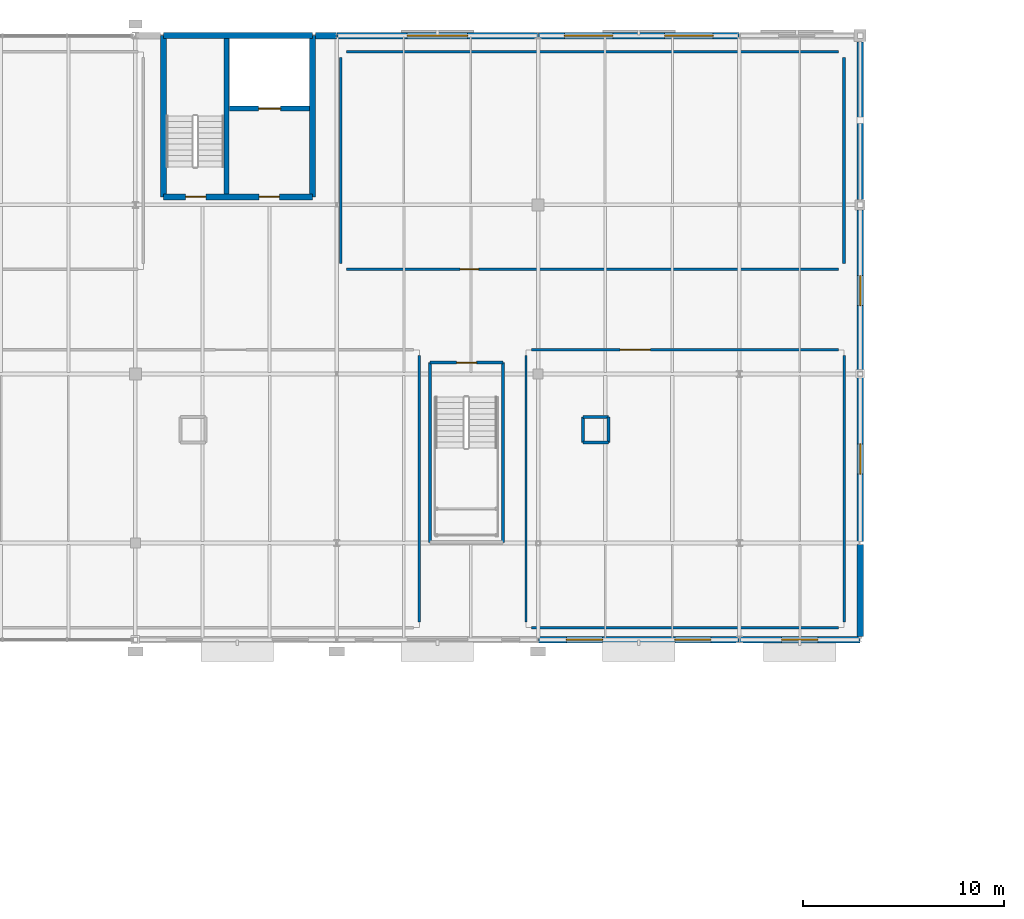
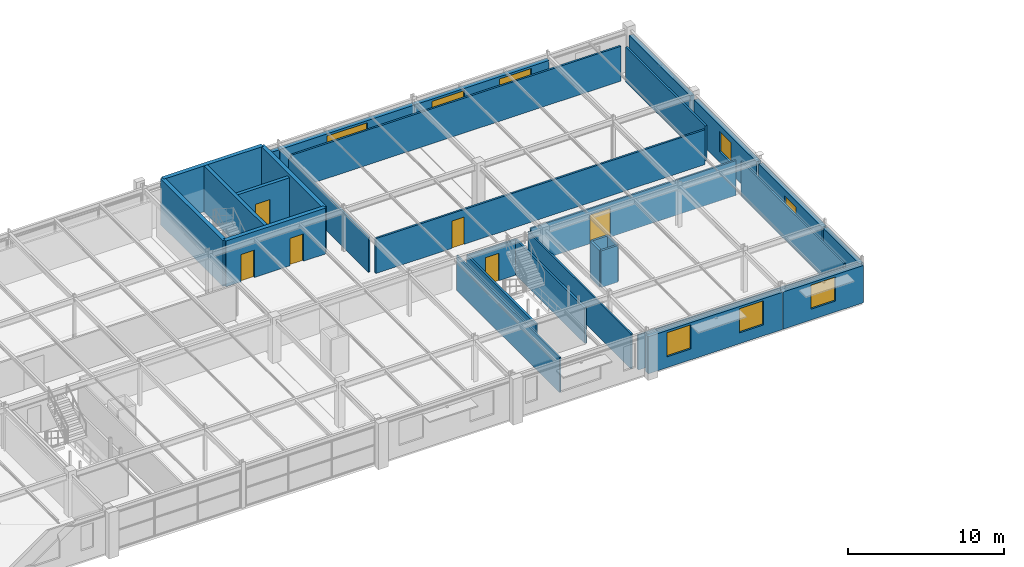
# One storey, part 101 of 109: 31 walls, 8 windows, 6 doors, 14 openings.
"""IFC4 building model written with IfcOpenShell, lengths in metres."""

from ifc_helpers import new_model, si_unit, derived_unit, direction, frame, frame_2d, origin, place, context, subcontext, project, spatial, rectangle, extrude, material, layer, layer_set, type_object, element, fill, save


model = new_model("IFC4")

# Units and contexts
model_context = context("Model", 3, precision=1e-05, world=origin(), true_north=direction((0.0, 1.0)))
body_context = subcontext(model_context, "Body", "Model", "MODEL_VIEW")
ifc_project = project(units=[si_unit("LENGTHUNIT", "METRE"), si_unit("AREAUNIT", "SQUARE_METRE"), si_unit("VOLUMEUNIT", "CUBIC_METRE"), si_unit("PLANEANGLEUNIT", "RADIAN"), si_unit("MASSUNIT", "GRAM", prefix="KILO"), derived_unit("THERMALTRANSMITTANCEUNIT", [(si_unit("POWERUNIT", "WATT"), 1), (si_unit("LENGTHUNIT", "METRE"), -2), (si_unit("THERMODYNAMICTEMPERATUREUNIT", "KELVIN"), -1)])], contexts=[model_context])

# Site, building, storey
site_placement = place(None, origin())
site = spatial("IfcSite", under=ifc_project, at=site_placement, CompositionType="ELEMENT")
building_placement = place(site_placement, origin())
building = spatial("IfcBuilding", under=site, at=building_placement, Name="Cinnabar Yard Market Hall", CompositionType="ELEMENT")
storey_placement = place(building_placement, frame((0.0, 0.0, 8.39990234375)))
storey = spatial("IfcBuildingStorey", under=building, at=storey_placement, Name="L02", CompositionType="ELEMENT", Elevation=8.39990234375)

# Walls
ifc_material_1 = material(Name="Acoustic steel-stud plasterboard", Category="steel")
ifc_layer_1 = layer(ifc_material_1, 0.1201171875)
ifc_layer_set_1 = layer_set([ifc_layer_1], Name="Acoustic steel-stud plasterboard")
wall_type_1 = type_object("IfcWallType", Name="WL-PT120", PredefinedType="PARTITIONING", material=ifc_layer_set_1)
wall_1_placement = place(storey_placement, frame((140.10009765625, 108.8798828125, 0.0), z_axis=(0.0, 0.0, 1.0), x_axis=(0.0, 1.0, 0.0)))
element("IfcWall", 1, at=wall_1_placement, inside=storey, type_object=wall_type_1, Name="Partition Culinary Demonstration Auditorium east", PredefinedType="PARTITIONING", context=body_context, shape_type="SweptSolid", body=[
    extrude(rectangle(XDim=13.240234375, YDim=0.1201171875, at=frame_2d((6.6201171875, 0.0), x_axis=(1.0, 0.0))), origin(), (0.0, 0.0, 1.0), 2.739990234375),
])
wall_2_placement = place(storey_placement, frame((145.679931640625, 108.60009765625, 0.0), z_axis=(0.0, 0.0, 1.0), x_axis=(1.0, 0.0, 0.0)))
element("IfcWall", 2, at=wall_2_placement, inside=storey, type_object=wall_type_1, Name="Partition Gastronomy and Cookbook Library south", PredefinedType="PARTITIONING", context=body_context, shape_type="SweptSolid", body=[
    extrude(rectangle(XDim=15.239990234375, YDim=0.1201171875, at=frame_2d((7.6201171875, 0.0), x_axis=(1.0, 0.0))), origin(), (0.0, 0.0, 1.0), 2.739990234375),
])
wall_3_placement = place(storey_placement, frame((161.199951171875, 108.8798828125, 0.0), z_axis=(0.0, 0.0, 1.0), x_axis=(0.0, 1.0, 0.0)))
element("IfcWall", 3, at=wall_3_placement, inside=storey, type_object=wall_type_1, Name="Partition Gastronomy and Cookbook Library east", PredefinedType="PARTITIONING", context=body_context, shape_type="SweptSolid", body=[
    extrude(rectangle(XDim=13.240234375, YDim=0.1201171875, at=frame_2d((6.6201171875, 0.0), x_axis=(1.0, 0.0))), origin(), (0.0, 0.0, 1.0), 2.739990234375),
])

# Wall, opening, door
wall_4_placement = place(storey_placement, frame((160.919921875, 122.39990234375, 0.0), z_axis=(0.0, 0.0, 1.0), x_axis=(-1.0, 0.0, 0.0)))
wall_4 = element("IfcWall", 4, at=wall_4_placement, inside=storey, type_object=wall_type_1, Name="Partition Gastronomy and Cookbook Library north", PredefinedType="PARTITIONING", context=body_context, shape_type="SweptSolid", body=[
    extrude(rectangle(XDim=15.239990234375, YDim=0.1201171875, at=frame_2d((7.6201171875, 0.0), x_axis=(1.0, 0.0))), origin(), (0.0, 0.0, 1.0), 2.739990234375),
])
opening_1_placement = place(wall_4_placement, frame((9.34326171875, 0.0, 0.0)))
opening_1 = element("IfcOpeningElement", 5, at=opening_1_placement, cuts=wall_4, Name="Opening ID-172", PredefinedType="OPENING", context=body_context, shape_type="SweptSolid", body=[
    extrude(rectangle(XDim=1.5, YDim=2.25, at=frame_2d((0.75, 1.125), x_axis=(1.0, 0.0))), frame((0.0, 0.070068359375, 0.0), z_axis=(0.0, -1.0, 0.0), x_axis=(1.0, 0.0, 0.0)), (0.0, 0.0, 1.0), 0.14013671875),
])
ifc_material_2 = material(Name="Spotted gum timber and vision glass", Category="wood")
door_type_1 = type_object("IfcDoorType", Name="DR-D08", OperationType="NOTDEFINED", PredefinedType="DOOR", material=ifc_material_2)
door_1_placement = place(opening_1_placement, origin())
door_1 = element("IfcDoor", 6, at=door_1_placement, inside=storey, type_object=door_type_1, Name="Interior Door ID-172", OperationType="DOUBLE_SWING_LEFT", OverallHeight=2.25, OverallWidth=1.5, PredefinedType="DOOR", context=body_context, shape_type="SweptSolid", body=[
    extrude(rectangle(XDim=1.5, YDim=2.25, at=frame_2d((0.75, 1.125), x_axis=(1.0, 0.0))), frame((0.0, 0.02490234375, 0.0), z_axis=(0.0, -1.0, 0.0), x_axis=(1.0, 0.0, 0.0)), (0.0, 0.0, 1.0), 0.050048828125),
])
fill(opening_1, door_1)

# Wall
wall_5_placement = place(storey_placement, frame((145.39990234375, 122.1201171875, 0.0), z_axis=(0.0, 0.0, 1.0), x_axis=(0.0, -1.0, 0.0)))
element("IfcWall", 7, at=wall_5_placement, inside=storey, type_object=wall_type_1, Name="Partition Gastronomy and Cookbook Library west", PredefinedType="PARTITIONING", context=body_context, shape_type="SweptSolid", body=[
    extrude(rectangle(XDim=13.240234375, YDim=0.1201171875, at=frame_2d((6.6201171875, 0.0), x_axis=(1.0, 0.0))), origin(), (0.0, 0.0, 1.0), 2.739990234375),
])

# Wall, opening, door
ifc_material_3 = material(Name="Moisture-resistant tiled service wall")
ifc_layer_2 = layer(ifc_material_3, 0.139892578125)
ifc_layer_set_2 = layer_set([ifc_layer_2], Name="Moisture-resistant tiled service wall")
wall_type_2 = type_object("IfcWallType", Name="WL-PT140", PredefinedType="PLUMBINGWALL", material=ifc_layer_set_2)
wall_6_placement = place(storey_placement, frame((136.47998046875, 126.39990234375, 0.0), z_axis=(0.0, 0.0, 1.0), x_axis=(1.0, 0.0, 0.0)))
wall_6 = element("IfcWall", 8, at=wall_6_placement, inside=storey, type_object=wall_type_2, Name="Partition Cooking School Public and Accessible WC south", PredefinedType="PLUMBINGWALL", context=body_context, shape_type="SweptSolid", body=[
    extrude(rectangle(XDim=24.43994140625, YDim=0.139892578125, at=frame_2d((12.219970703125, 0.0), x_axis=(1.0, 0.0))), origin(), (0.0, 0.0, 1.0), 2.739990234375),
])
opening_2_placement = place(wall_6_placement, frame((5.644775390625, 0.0, 0.0)))
opening_2 = element("IfcOpeningElement", 9, at=opening_2_placement, cuts=wall_6, Name="Opening ID-175", PredefinedType="OPENING", context=body_context, shape_type="SweptSolid", body=[
    extrude(rectangle(XDim=0.919921875, YDim=2.14990234375, at=frame_2d((0.4599609375, 1.074951171875), x_axis=(1.0, 0.0))), frame((0.0, 0.079833984375, 0.0), z_axis=(0.0, -1.0, 0.0), x_axis=(1.0, 0.0, 0.0)), (0.0, 0.0, 1.0), 0.159912109375),
])
ifc_material_4 = material(Name="Solid-core spotted gum timber", Category="wood")
door_type_2 = type_object("IfcDoorType", Name="DR-D07", OperationType="NOTDEFINED", PredefinedType="DOOR", material=ifc_material_4)
door_2_placement = place(opening_2_placement, origin())
door_2 = element("IfcDoor", 10, at=door_2_placement, inside=storey, type_object=door_type_2, Name="Interior Door ID-175", OperationType="SINGLE_SWING_RIGHT", OverallHeight=2.14990234375, OverallWidth=0.919921875, PredefinedType="DOOR", context=body_context, shape_type="SweptSolid", body=[
    extrude(rectangle(XDim=0.919921875, YDim=2.14990234375, at=frame_2d((0.4599609375, 1.074951171875), x_axis=(1.0, 0.0))), frame((0.0, 0.02490234375, 0.0), z_axis=(0.0, -1.0, 0.0), x_axis=(1.0, 0.0, 0.0)), (0.0, 0.0, 1.0), 0.050048828125),
])
fill(opening_2, door_2)

# Walls
wall_7_placement = place(storey_placement, frame((161.199951171875, 126.679931640625, 0.0), z_axis=(0.0, 0.0, 1.0), x_axis=(0.0, 1.0, 0.0)))
element("IfcWall", 11, at=wall_7_placement, inside=storey, type_object=wall_type_2, Name="Partition Cooking School Public and Accessible WC east", PredefinedType="PLUMBINGWALL", context=body_context, shape_type="SweptSolid", body=[
    extrude(rectangle(XDim=10.239990234375, YDim=0.139892578125, at=frame_2d((5.1201171875, 0.0), x_axis=(1.0, 0.0))), origin(), (0.0, 0.0, 1.0), 2.739990234375),
])
wall_8_placement = place(storey_placement, frame((160.919921875, 137.199951171875, 0.0), z_axis=(0.0, 0.0, 1.0), x_axis=(-1.0, 0.0, 0.0)))
element("IfcWall", 12, at=wall_8_placement, inside=storey, type_object=wall_type_2, Name="Partition Cooking School Public and Accessible WC north", PredefinedType="PLUMBINGWALL", context=body_context, shape_type="SweptSolid", body=[
    extrude(rectangle(XDim=24.43994140625, YDim=0.139892578125, at=frame_2d((12.219970703125, 0.0), x_axis=(1.0, 0.0))), origin(), (0.0, 0.0, 1.0), 2.739990234375),
])
wall_9_placement = place(storey_placement, frame((136.199951171875, 136.919921875, 0.0), z_axis=(0.0, 0.0, 1.0), x_axis=(0.0, -1.0, 0.0)))
element("IfcWall", 13, at=wall_9_placement, inside=storey, type_object=wall_type_2, Name="Partition Cooking School Public and Accessible WC west", PredefinedType="PLUMBINGWALL", context=body_context, shape_type="SweptSolid", body=[
    extrude(rectangle(XDim=10.239990234375, YDim=0.139892578125, at=frame_2d((5.1201171875, 0.0), x_axis=(1.0, 0.0))), origin(), (0.0, 0.0, 1.0), 2.739990234375),
])
ifc_material_5 = material(Name="Fire-rated steel-stud plasterboard", Category="steel")
ifc_layer_3 = layer(ifc_material_5, 0.14990234375)
ifc_layer_set_3 = layer_set([ifc_layer_3], Name="Fire-rated steel-stud plasterboard")
wall_type_3 = type_object("IfcWallType", Name="WL-PT150", PredefinedType="PARTITIONING", material=ifc_layer_set_3)
for number, where, z_axis, x_axis, name in (
    (14, (140.639892578125, 121.760009765625, 0.0), (0.0, 0.0, 1.0), (0.0, -1.0, 0.0), "Stair ST-F6 Shaft Wall W L02"),
    (15, (144.260009765625, 112.840087890625, 0.0), (0.0, 0.0, 1.0), (0.0, 1.0, 0.0), "Stair ST-F6 Shaft Wall E L02"),
):
    element("IfcWall", number, at=place(storey_placement, frame(where, z_axis=z_axis, x_axis=x_axis)), inside=storey, type_object=wall_type_3, Name=name, PredefinedType="PARTITIONING", context=body_context, shape_type="SweptSolid", body=[
        extrude(rectangle(XDim=8.919921875, YDim=0.14990234375, at=frame_2d((4.4599609375, 0.0), x_axis=(1.0, 0.0))), origin(), (0.0, 0.0, 1.0), 2.780029296875),
    ])

# Wall, opening, door
wall_10_placement = place(storey_placement, frame((144.260009765625, 121.760009765625, 0.0), z_axis=(0.0, 0.0, 1.0), x_axis=(-1.0, 0.0, 0.0)))
wall_10 = element("IfcWall", 16, at=wall_10_placement, inside=storey, type_object=wall_type_3, Name="Stair ST-F6 Shaft Wall N L02", PredefinedType="PARTITIONING", context=body_context, shape_type="SweptSolid", body=[
    extrude(rectangle(XDim=3.6201171875, YDim=0.14990234375, at=frame_2d((1.81005859375, 0.0), x_axis=(1.0, 0.0))), origin(), (0.0, 0.0, 1.0), 2.780029296875),
])
opening_3_placement = place(wall_10_placement, frame((1.31005859375, 0.0, 0.0)))
opening_3 = element("IfcOpeningElement", 17, at=opening_3_placement, cuts=wall_10, Name="Opening CD-083", PredefinedType="OPENING", context=body_context, shape_type="SweptSolid", body=[
    extrude(rectangle(XDim=1.0, YDim=2.14990234375, at=frame_2d((0.5, 1.074951171875), x_axis=(1.0, 0.0))), frame((0.0, 0.0849609375, 0.0), z_axis=(0.0, -1.0, 0.0), x_axis=(1.0, 0.0, 0.0)), (0.0, 0.0, 1.0), 0.169921875),
])
door_type_3 = type_object("IfcDoorType", Name="DR-D05", OperationType="NOTDEFINED", PredefinedType="DOOR", material=ifc_material_4)
door_3_placement = place(opening_3_placement, origin())
door_3 = element("IfcDoor", 18, at=door_3_placement, inside=storey, type_object=door_type_3, Name="Stair Door CD-083", OperationType="SINGLE_SWING_LEFT", OverallHeight=2.14990234375, OverallWidth=1.0, PredefinedType="DOOR", context=body_context, shape_type="SweptSolid", body=[
    extrude(rectangle(XDim=1.0, YDim=2.14990234375, at=frame_2d((0.5, 1.074951171875), x_axis=(1.0, 0.0))), frame((0.0, 0.02490234375, 0.0), z_axis=(0.0, -1.0, 0.0), x_axis=(1.0, 0.0, 0.0)), (0.0, 0.0, 1.0), 0.050048828125),
])
fill(opening_3, door_3)

# Walls
for number, where, z_axis, x_axis, name in (
    (19, (148.239990234375, 117.800048828125, 0.0), (0.0, 0.0, 1.0), (1.0, 0.0, 0.0), "Service Shaft Wall L02-5-1"),
    (20, (149.489990234375, 117.800048828125, 0.0), (0.0, 0.0, 1.0), (0.0, 1.0, 0.0), "Service Shaft Wall L02-5-2"),
    (21, (149.489990234375, 119.050048828125, 0.0), (0.0, 0.0, 1.0), (-1.0, 0.0, 0.0), "Service Shaft Wall L02-5-3"),
    (22, (148.239990234375, 119.050048828125, 0.0), (0.0, 0.0, 1.0), (0.0, -1.0, 0.0), "Service Shaft Wall L02-5-4"),
):
    element("IfcWall", number, at=place(storey_placement, frame(where, z_axis=z_axis, x_axis=x_axis)), inside=storey, type_object=wall_type_3, Name=name, PredefinedType="PARTITIONING", context=body_context, shape_type="SweptSolid", body=[
        extrude(rectangle(XDim=1.25, YDim=0.14990234375, at=frame_2d((0.625, 0.0), x_axis=(1.0, 0.0))), origin(), (0.0, 0.0, 1.0), 2.880126953125),
    ])
ifc_material_6 = material(Name="Concrete 40 MPa", Category="concrete")
ifc_layer_4 = layer(ifc_material_6, 0.300048828125)
ifc_layer_set_4 = layer_set([ifc_layer_4], Name="Concrete 40 MPa")
wall_type_4 = type_object("IfcWallType", Name="WL-W-CORE", PredefinedType="SHEAR", material=ifc_layer_set_4)
for number, where, z_axis, x_axis, name in (
    (23, (127.39990234375, 138.0, 0.0), (0.0, 0.0, 1.0), (0.0, -1.0, 0.0), "Core C6 West Shear Wall L02"),
    (24, (134.800048828125, 130.0, 0.0), (0.0, 0.0, 1.0), (0.0, 1.0, 0.0), "Core C6 East Shear Wall L02"),
):
    element("IfcWall", number, at=place(storey_placement, frame(where, z_axis=z_axis, x_axis=x_axis)), inside=storey, type_object=wall_type_4, Name=name, PredefinedType="SHEAR", context=body_context, shape_type="SweptSolid", body=[
        extrude(rectangle(XDim=8.0, YDim=0.300048828125, at=frame_2d((4.0, 0.0), x_axis=(1.0, 0.0))), origin(), (0.0, 0.0, 1.0), 3.60009765625),
    ])

# Wall, openings, doors
wall_11_placement = place(storey_placement, frame((127.39990234375, 130.0, 0.0), z_axis=(0.0, 0.0, 1.0), x_axis=(1.0, 0.0, 0.0)))
wall_11 = element("IfcWall", 25, at=wall_11_placement, inside=storey, type_object=wall_type_4, Name="Core C6 South Shear Wall L02", PredefinedType="SHEAR", context=body_context, shape_type="SweptSolid", body=[
    extrude(rectangle(XDim=7.400146484375, YDim=0.300048828125, at=frame_2d((3.7001953125, 0.0), x_axis=(1.0, 0.0))), origin(), (0.0, 0.0, 1.0), 3.60009765625),
])
opening_4_placement = place(wall_11_placement, frame((1.10009765625, 0.0, 0.0)))
opening_4 = element("IfcOpeningElement", 26, at=opening_4_placement, cuts=wall_11, Name="Opening CD-047", PredefinedType="OPENING", context=body_context, shape_type="SweptSolid", body=[
    extrude(rectangle(XDim=1.0, YDim=2.14990234375, at=frame_2d((0.5, 1.074951171875), x_axis=(1.0, 0.0))), frame((0.0, 0.159912109375, 0.0), z_axis=(0.0, -1.0, 0.0), x_axis=(1.0, 0.0, 0.0)), (0.0, 0.0, 1.0), 0.320068359375),
])
opening_5_placement = place(wall_11_placement, frame((4.75, 0.0, 0.0)))
opening_5 = element("IfcOpeningElement", 27, at=opening_5_placement, cuts=wall_11, Name="Opening CD-048", PredefinedType="OPENING", context=body_context, shape_type="SweptSolid", body=[
    extrude(rectangle(XDim=1.0, YDim=2.14990234375, at=frame_2d((0.5, 1.074951171875), x_axis=(1.0, 0.0))), frame((0.0, 0.159912109375, 0.0), z_axis=(0.0, -1.0, 0.0), x_axis=(1.0, 0.0, 0.0)), (0.0, 0.0, 1.0), 0.320068359375),
])
door_4_placement = place(opening_4_placement, origin())
door_4 = element("IfcDoor", 28, at=door_4_placement, inside=storey, type_object=door_type_3, Name="Core Door CD-047", OperationType="SINGLE_SWING_RIGHT", OverallHeight=2.14990234375, OverallWidth=1.0, PredefinedType="DOOR", context=body_context, shape_type="SweptSolid", body=[
    extrude(rectangle(XDim=1.0, YDim=2.14990234375, at=frame_2d((0.5, 1.074951171875), x_axis=(1.0, 0.0))), frame((0.0, 0.02490234375, 0.0), z_axis=(0.0, -1.0, 0.0), x_axis=(1.0, 0.0, 0.0)), (0.0, 0.0, 1.0), 0.050048828125),
])
fill(opening_4, door_4)
door_5_placement = place(opening_5_placement, origin())
door_5 = element("IfcDoor", 29, at=door_5_placement, inside=storey, type_object=door_type_3, Name="Core Door CD-048", OperationType="SINGLE_SWING_LEFT", OverallHeight=2.14990234375, OverallWidth=1.0, PredefinedType="DOOR", context=body_context, shape_type="SweptSolid", body=[
    extrude(rectangle(XDim=1.0, YDim=2.14990234375, at=frame_2d((0.5, 1.074951171875), x_axis=(1.0, 0.0))), frame((0.0, 0.02490234375, 0.0), z_axis=(0.0, -1.0, 0.0), x_axis=(1.0, 0.0, 0.0)), (0.0, 0.0, 1.0), 0.050048828125),
])
fill(opening_5, door_5)

# Walls
wall_12_placement = place(storey_placement, frame((134.800048828125, 138.0, 0.0), z_axis=(0.0, 0.0, 1.0), x_axis=(-1.0, 0.0, 0.0)))
element("IfcWall", 30, at=wall_12_placement, inside=storey, type_object=wall_type_4, Name="Core C6 North Shear Wall L02", PredefinedType="SHEAR", context=body_context, shape_type="SweptSolid", body=[
    extrude(rectangle(XDim=7.400146484375, YDim=0.300048828125, at=frame_2d((3.7001953125, 0.0), x_axis=(1.0, 0.0))), origin(), (0.0, 0.0, 1.0), 3.60009765625),
])
ifc_material_7 = material(Name="Cream limestone and Concrete 32 MPa", Category="masonry")
ifc_layer_5 = layer(ifc_material_7, 0.320068359375)
ifc_layer_set_5 = layer_set([ifc_layer_5], Name="Cream limestone and Concrete 32 MPa")
wall_type_5 = type_object("IfcWallType", Name="WL-W-EXT2", PredefinedType="SOLIDWALL", material=ifc_layer_set_5)
wall_13_placement = place(storey_placement, frame((135.989990234375, 138.0, 0.0), z_axis=(0.0, 0.0, 1.0), x_axis=(-1.0, 0.0, 0.0)))
element("IfcWall", 31, at=wall_13_placement, inside=storey, type_object=wall_type_5, Name="Wing North Flank L02 Bay 7E", PredefinedType="SOLIDWALL", context=body_context, shape_type="SweptSolid", body=[
    extrude(rectangle(XDim=1.0400390625, YDim=0.320068359375, at=frame_2d((0.52001953125, 0.0), x_axis=(1.0, 0.0))), origin(), (0.0, 0.0, 1.0), 2.920166015625),
])

# Wall, opening, window
wall_14_placement = place(storey_placement, frame((145.98828125, 138.0, 0.0), z_axis=(0.0, 0.0, 1.0), x_axis=(-1.0, 0.0, 0.0)))
wall_14 = element("IfcWall", 32, at=wall_14_placement, inside=storey, type_object=wall_type_5, Name="Wing North Wall L02 Bay 8", PredefinedType="SOLIDWALL", context=body_context, shape_type="SweptSolid", body=[
    extrude(rectangle(XDim=9.978271484375, YDim=0.320068359375, at=frame_2d((4.9892578125, 0.0), x_axis=(1.0, 0.0))), origin(), (0.0, 0.0, 1.0), 2.920166015625),
])
opening_6_placement = place(wall_14_placement, frame((3.489013671875, 0.0, 0.85009765625)))
opening_6 = element("IfcOpeningElement", 33, at=opening_6_placement, cuts=wall_14, Name="Opening W09", PredefinedType="OPENING", context=body_context, shape_type="SweptSolid", body=[
    extrude(rectangle(XDim=3.0, YDim=1.89990234375, at=frame_2d((1.5, 0.949951171875), x_axis=(1.0, 0.0))), frame((0.0, 0.169921875, 0.0), z_axis=(0.0, -1.0, 0.0), x_axis=(1.0, 0.0, 0.0)), (0.0, 0.0, 1.0), 0.340087890625),
])
ifc_material_8 = material(Name="Solar-control double glazing in bronze aluminium", Category="aluminium")
window_type_1 = type_object("IfcWindowType", Name="WN-W09", PartitioningType="SINGLE_PANEL", PredefinedType="WINDOW", material=ifc_material_8)
window_1_placement = place(opening_6_placement, origin())
window_1 = element("IfcWindow", 34, at=window_1_placement, inside=storey, type_object=window_type_1, Name="Window WN-V3N-L02-8M", OverallHeight=1.89990234375, OverallWidth=3.0, PartitioningType="SINGLE_PANEL", PredefinedType="WINDOW", context=body_context, shape_type="SweptSolid", body=[
    extrude(rectangle(XDim=3.0, YDim=1.89990234375, at=frame_2d((1.5, 0.949951171875), x_axis=(1.0, 0.0))), frame((0.0, 0.030029296875, 0.0), z_axis=(0.0, -1.0, 0.0), x_axis=(1.0, 0.0, 0.0)), (0.0, 0.0, 1.0), 0.06005859375),
])
fill(opening_6, window_1)

# Wall, openings, windows
wall_15_placement = place(storey_placement, frame((146.010009765625, 108.0, 0.0), z_axis=(0.0, 0.0, 1.0), x_axis=(1.0, 0.0, 0.0)))
wall_15 = element("IfcWall", 35, at=wall_15_placement, inside=storey, type_object=wall_type_5, Name="Wing South Wall L02 Bay 9", PredefinedType="SOLIDWALL", context=body_context, shape_type="SweptSolid", body=[
    extrude(rectangle(XDim=9.97900390625, YDim=0.320068359375, at=frame_2d((4.989501953125, 0.0), x_axis=(1.0, 0.0))), origin(), (0.0, 0.0, 1.0), 2.920166015625),
])
opening_7_placement = place(wall_15_placement, frame((1.39990234375, 0.0, 0.85009765625)))
opening_7 = element("IfcOpeningElement", 36, at=opening_7_placement, cuts=wall_15, Name="Opening W07", PredefinedType="OPENING", context=body_context, shape_type="SweptSolid", body=[
    extrude(rectangle(XDim=1.800048828125, YDim=1.89990234375, at=frame_2d((0.89990234375, 0.949951171875), x_axis=(1.0, 0.0))), frame((0.0, 0.169921875, 0.0), z_axis=(0.0, -1.0, 0.0), x_axis=(1.0, 0.0, 0.0)), (0.0, 0.0, 1.0), 0.340087890625),
])
opening_8_placement = place(wall_15_placement, frame((6.779052734375, 0.0, 0.85009765625)))
opening_8 = element("IfcOpeningElement", 37, at=opening_8_placement, cuts=wall_15, Name="Opening W07", PredefinedType="OPENING", context=body_context, shape_type="SweptSolid", body=[
    extrude(rectangle(XDim=1.800048828125, YDim=1.89990234375, at=frame_2d((0.89990234375, 0.949951171875), x_axis=(1.0, 0.0))), frame((0.0, 0.169921875, 0.0), z_axis=(0.0, -1.0, 0.0), x_axis=(1.0, 0.0, 0.0)), (0.0, 0.0, 1.0), 0.340087890625),
])
ifc_material_9 = material(Name="Low-E double glazing in bronze aluminium", Category="aluminium")
window_type_2 = type_object("IfcWindowType", Name="WN-W07", PartitioningType="SINGLE_PANEL", PredefinedType="WINDOW", material=ifc_material_9)
window_2_placement = place(opening_7_placement, origin())
window_2 = element("IfcWindow", 38, at=window_2_placement, inside=storey, type_object=window_type_2, Name="Window WN-V3S-L02-9A", OverallHeight=1.89990234375, OverallWidth=1.800048828125, PartitioningType="SINGLE_PANEL", PredefinedType="WINDOW", context=body_context, shape_type="SweptSolid", body=[
    extrude(rectangle(XDim=1.800048828125, YDim=1.89990234375, at=frame_2d((0.89990234375, 0.949951171875), x_axis=(1.0, 0.0))), frame((0.0, 0.030029296875, 0.0), z_axis=(0.0, -1.0, 0.0), x_axis=(1.0, 0.0, 0.0)), (0.0, 0.0, 1.0), 0.06005859375),
])
fill(opening_7, window_2)
window_3_placement = place(opening_8_placement, origin())
window_3 = element("IfcWindow", 39, at=window_3_placement, inside=storey, type_object=window_type_2, Name="Window WN-V3S-L02-9B", OverallHeight=1.89990234375, OverallWidth=1.800048828125, PartitioningType="SINGLE_PANEL", PredefinedType="WINDOW", context=body_context, shape_type="SweptSolid", body=[
    extrude(rectangle(XDim=1.800048828125, YDim=1.89990234375, at=frame_2d((0.89990234375, 0.949951171875), x_axis=(1.0, 0.0))), frame((0.0, 0.030029296875, 0.0), z_axis=(0.0, -1.0, 0.0), x_axis=(1.0, 0.0, 0.0)), (0.0, 0.0, 1.0), 0.06005859375),
])
fill(opening_8, window_3)

wall_16_placement = place(storey_placement, frame((155.989990234375, 138.0, 0.0), z_axis=(0.0, 0.0, 1.0), x_axis=(-1.0, 0.0, 0.0)))
wall_16 = element("IfcWall", 40, at=wall_16_placement, inside=storey, type_object=wall_type_5, Name="Wing North Wall L02 Bay 9", PredefinedType="SOLIDWALL", context=body_context, shape_type="SweptSolid", body=[
    extrude(rectangle(XDim=9.978271484375, YDim=0.320068359375, at=frame_2d((4.9892578125, 0.0), x_axis=(1.0, 0.0))), origin(), (0.0, 0.0, 1.0), 2.920166015625),
])
opening_9_placement = place(wall_16_placement, frame((1.300048828125, 0.0, 0.85009765625)))
opening_9 = element("IfcOpeningElement", 41, at=opening_9_placement, cuts=wall_16, Name="Opening W08", PredefinedType="OPENING", context=body_context, shape_type="SweptSolid", body=[
    extrude(rectangle(XDim=2.39990234375, YDim=1.89990234375, at=frame_2d((1.199951171875, 0.949951171875), x_axis=(1.0, 0.0))), frame((0.0, 0.169921875, 0.0), z_axis=(0.0, -1.0, 0.0), x_axis=(1.0, 0.0, 0.0)), (0.0, 0.0, 1.0), 0.340087890625),
])
opening_10_placement = place(wall_16_placement, frame((6.2783203125, 0.0, 0.85009765625)))
opening_10 = element("IfcOpeningElement", 42, at=opening_10_placement, cuts=wall_16, Name="Opening W08", PredefinedType="OPENING", context=body_context, shape_type="SweptSolid", body=[
    extrude(rectangle(XDim=2.39990234375, YDim=1.89990234375, at=frame_2d((1.199951171875, 0.949951171875), x_axis=(1.0, 0.0))), frame((0.0, 0.169921875, 0.0), z_axis=(0.0, -1.0, 0.0), x_axis=(1.0, 0.0, 0.0)), (0.0, 0.0, 1.0), 0.340087890625),
])
window_type_3 = type_object("IfcWindowType", Name="WN-W08", PartitioningType="SINGLE_PANEL", PredefinedType="WINDOW", material=ifc_material_9)
window_4_placement = place(opening_9_placement, origin())
window_4 = element("IfcWindow", 43, at=window_4_placement, inside=storey, type_object=window_type_3, Name="Window WN-V3N-L02-9A", OverallHeight=1.89990234375, OverallWidth=2.39990234375, PartitioningType="SINGLE_PANEL", PredefinedType="WINDOW", context=body_context, shape_type="SweptSolid", body=[
    extrude(rectangle(XDim=2.39990234375, YDim=1.89990234375, at=frame_2d((1.199951171875, 0.949951171875), x_axis=(1.0, 0.0))), frame((0.0, 0.030029296875, 0.0), z_axis=(0.0, -1.0, 0.0), x_axis=(1.0, 0.0, 0.0)), (0.0, 0.0, 1.0), 0.06005859375),
])
fill(opening_9, window_4)
window_5_placement = place(opening_10_placement, origin())
window_5 = element("IfcWindow", 44, at=window_5_placement, inside=storey, type_object=window_type_3, Name="Window WN-V3N-L02-9B", OverallHeight=1.89990234375, OverallWidth=2.39990234375, PartitioningType="SINGLE_PANEL", PredefinedType="WINDOW", context=body_context, shape_type="SweptSolid", body=[
    extrude(rectangle(XDim=2.39990234375, YDim=1.89990234375, at=frame_2d((1.199951171875, 0.949951171875), x_axis=(1.0, 0.0))), frame((0.0, 0.030029296875, 0.0), z_axis=(0.0, -1.0, 0.0), x_axis=(1.0, 0.0, 0.0)), (0.0, 0.0, 1.0), 0.06005859375),
])
fill(opening_10, window_5)

# Wall, opening, window
wall_17_placement = place(storey_placement, frame((156.010986328125, 108.0, 0.0), z_axis=(0.0, 0.0, 1.0), x_axis=(1.0, 0.0, 0.0)))
wall_17 = element("IfcWall", 45, at=wall_17_placement, inside=storey, type_object=wall_type_5, Name="Wing South Wall L02 Bay 10", PredefinedType="SOLIDWALL", context=body_context, shape_type="SweptSolid", body=[
    extrude(rectangle(XDim=5.97900390625, YDim=0.320068359375, at=frame_2d((2.989501953125, 0.0), x_axis=(1.0, 0.0))), origin(), (0.0, 0.0, 1.0), 2.920166015625),
])
opening_11_placement = place(wall_17_placement, frame((2.089599609375, 0.0, 0.85009765625)))
opening_11 = element("IfcOpeningElement", 46, at=opening_11_placement, cuts=wall_17, Name="Opening W07", PredefinedType="OPENING", context=body_context, shape_type="SweptSolid", body=[
    extrude(rectangle(XDim=1.800048828125, YDim=1.89990234375, at=frame_2d((0.89990234375, 0.949951171875), x_axis=(1.0, 0.0))), frame((0.0, 0.169921875, 0.0), z_axis=(0.0, -1.0, 0.0), x_axis=(1.0, 0.0, 0.0)), (0.0, 0.0, 1.0), 0.340087890625),
])
window_6_placement = place(opening_11_placement, origin())
window_6 = element("IfcWindow", 47, at=window_6_placement, inside=storey, type_object=window_type_2, Name="Window WN-V3S-L02-10", OverallHeight=1.89990234375, OverallWidth=1.800048828125, PartitioningType="SINGLE_PANEL", PredefinedType="WINDOW", context=body_context, shape_type="SweptSolid", body=[
    extrude(rectangle(XDim=1.800048828125, YDim=1.89990234375, at=frame_2d((0.89990234375, 0.949951171875), x_axis=(1.0, 0.0))), frame((0.0, 0.030029296875, 0.0), z_axis=(0.0, -1.0, 0.0), x_axis=(1.0, 0.0, 0.0)), (0.0, 0.0, 1.0), 0.06005859375),
])
fill(opening_11, window_6)

# Wall
wall_18_placement = place(storey_placement, frame((162.0, 108.155029296875, 0.0), z_axis=(0.0, 0.0, 1.0), x_axis=(0.0, 1.0, 0.0)))
element("IfcWall", 48, at=wall_18_placement, inside=storey, type_object=wall_type_5, Name="Wing East End Wall L02 Seg 1", PredefinedType="SOLIDWALL", context=body_context, shape_type="SweptSolid", body=[
    extrude(rectangle(XDim=4.564697265625, YDim=0.320068359375, at=frame_2d((2.2822265625, 0.0), x_axis=(1.0, 0.0))), origin(), (0.0, 0.0, 1.0), 2.920166015625),
])

# Wall, opening, window
wall_19_placement = place(storey_placement, frame((162.0, 112.880126953125, 0.0), z_axis=(0.0, 0.0, 1.0), x_axis=(0.0, 1.0, 0.0)))
wall_19 = element("IfcWall", 49, at=wall_19_placement, inside=storey, type_object=wall_type_5, Name="Wing East End Wall L02 Seg 2", PredefinedType="SOLIDWALL", context=body_context, shape_type="SweptSolid", body=[
    extrude(rectangle(XDim=8.189453125, YDim=0.320068359375, at=frame_2d((4.0947265625, 0.0), x_axis=(1.0, 0.0))), origin(), (0.0, 0.0, 1.0), 2.920166015625),
])
opening_12_placement = place(wall_19_placement, frame((3.3447265625, 0.0, 0.85009765625)))
opening_12 = element("IfcOpeningElement", 50, at=opening_12_placement, cuts=wall_19, Name="Opening W03", PredefinedType="OPENING", context=body_context, shape_type="SweptSolid", body=[
    extrude(rectangle(XDim=1.5, YDim=1.60009765625, at=frame_2d((0.75, 0.800048828125), x_axis=(1.0, 0.0))), frame((0.0, 0.169921875, 0.0), z_axis=(0.0, -1.0, 0.0), x_axis=(1.0, 0.0, 0.0)), (0.0, 0.0, 1.0), 0.340087890625),
])
window_type_4 = type_object("IfcWindowType", Name="WN-W03", PartitioningType="SINGLE_PANEL", PredefinedType="WINDOW", material=ifc_material_9)
window_7_placement = place(opening_12_placement, origin())
window_7 = element("IfcWindow", 51, at=window_7_placement, inside=storey, type_object=window_type_4, Name="Window WN-V3E-L02-2", OverallHeight=1.60009765625, OverallWidth=1.5, PartitioningType="SINGLE_PANEL", PredefinedType="WINDOW", context=body_context, shape_type="SweptSolid", body=[
    extrude(rectangle(XDim=1.5, YDim=1.60009765625, at=frame_2d((0.75, 0.800048828125), x_axis=(1.0, 0.0))), frame((0.0, 0.030029296875, 0.0), z_axis=(0.0, -1.0, 0.0), x_axis=(1.0, 0.0, 0.0)), (0.0, 0.0, 1.0), 0.06005859375),
])
fill(opening_12, window_7)

wall_20_placement = place(storey_placement, frame((162.0, 121.33056640625, 0.0), z_axis=(0.0, 0.0, 1.0), x_axis=(0.0, 1.0, 0.0)))
wall_20 = element("IfcWall", 52, at=wall_20_placement, inside=storey, type_object=wall_type_5, Name="Wing East End Wall L02 Seg 3", PredefinedType="SOLIDWALL", context=body_context, shape_type="SweptSolid", body=[
    extrude(rectangle(XDim=8.015380859375, YDim=0.320068359375, at=frame_2d((4.0078125, 0.0), x_axis=(1.0, 0.0))), origin(), (0.0, 0.0, 1.0), 2.920166015625),
])
opening_13_placement = place(wall_20_placement, frame((3.2578125, 0.0, 0.85009765625)))
opening_13 = element("IfcOpeningElement", 53, at=opening_13_placement, cuts=wall_20, Name="Opening W03", PredefinedType="OPENING", context=body_context, shape_type="SweptSolid", body=[
    extrude(rectangle(XDim=1.5, YDim=1.60009765625, at=frame_2d((0.75, 0.800048828125), x_axis=(1.0, 0.0))), frame((0.0, 0.169921875, 0.0), z_axis=(0.0, -1.0, 0.0), x_axis=(1.0, 0.0, 0.0)), (0.0, 0.0, 1.0), 0.340087890625),
])
window_8_placement = place(opening_13_placement, origin())
window_8 = element("IfcWindow", 54, at=window_8_placement, inside=storey, type_object=window_type_4, Name="Window WN-V3E-L02-3", OverallHeight=1.60009765625, OverallWidth=1.5, PartitioningType="SINGLE_PANEL", PredefinedType="WINDOW", context=body_context, shape_type="SweptSolid", body=[
    extrude(rectangle(XDim=1.5, YDim=1.60009765625, at=frame_2d((0.75, 0.800048828125), x_axis=(1.0, 0.0))), frame((0.0, 0.030029296875, 0.0), z_axis=(0.0, -1.0, 0.0), x_axis=(1.0, 0.0, 0.0)), (0.0, 0.0, 1.0), 0.06005859375),
])
fill(opening_13, window_8)

# Walls
wall_21_placement = place(storey_placement, frame((162.0, 129.85400390625, 0.0), z_axis=(0.0, 0.0, 1.0), x_axis=(0.0, 1.0, 0.0)))
element("IfcWall", 55, at=wall_21_placement, inside=storey, type_object=wall_type_5, Name="Wing East End Wall L02 Seg 4", PredefinedType="SOLIDWALL", context=body_context, shape_type="SweptSolid", body=[
    extrude(rectangle(XDim=7.842041015625, YDim=0.320068359375, at=frame_2d((3.9208984375, 0.0), x_axis=(1.0, 0.0))), origin(), (0.0, 0.0, 1.0), 2.920166015625),
])
ifc_layer_6 = layer(ifc_material_6, 0.25)
ifc_layer_set_6 = layer_set([ifc_layer_6], Name="Concrete 40 MPa")
wall_type_6 = type_object("IfcWallType", Name="WL-W-SHAFT", PredefinedType="SHEAR", material=ifc_layer_set_6)
wall_22_placement = place(storey_placement, frame((130.514892578125, 130.14990234375, 0.0), z_axis=(0.0, 0.0, 1.0), x_axis=(0.0, 1.0, 0.0)))
element("IfcWall", 56, at=wall_22_placement, inside=storey, type_object=wall_type_6, Name="Core C6 Shaft Divider L02", PredefinedType="SHEAR", context=body_context, shape_type="SweptSolid", body=[
    extrude(rectangle(XDim=7.7001953125, YDim=0.25, at=frame_2d((3.85009765625, 0.0), x_axis=(1.0, 0.0))), origin(), (0.0, 0.0, 1.0), 3.60009765625),
])

# Wall, opening, door
wall_23_placement = place(storey_placement, frame((130.679931640625, 134.3798828125, 0.0), z_axis=(0.0, 0.0, 1.0), x_axis=(1.0, 0.0, 0.0)))
wall_23 = element("IfcWall", 57, at=wall_23_placement, inside=storey, type_object=wall_type_6, Name="Core C6 Lift Front Wall L02", PredefinedType="SHEAR", context=body_context, shape_type="SweptSolid", body=[
    extrude(rectangle(XDim=3.969970703125, YDim=0.25, at=frame_2d((1.98486328125, 0.0), x_axis=(1.0, 0.0))), origin(), (0.0, 0.0, 1.0), 3.360107421875),
])
opening_14_placement = place(wall_23_placement, frame((1.43505859375, 0.0, 0.0)))
opening_14 = element("IfcOpeningElement", 58, at=opening_14_placement, cuts=wall_23, Name="Opening LD-LP-04-L02", PredefinedType="OPENING", context=body_context, shape_type="SweptSolid", body=[
    extrude(rectangle(XDim=1.10009765625, YDim=2.14990234375, at=frame_2d((0.550048828125, 1.074951171875), x_axis=(1.0, 0.0))), frame((0.0, 0.135009765625, 0.0), z_axis=(0.0, -1.0, 0.0), x_axis=(1.0, 0.0, 0.0)), (0.0, 0.0, 1.0), 0.27001953125),
])
ifc_material_10 = material(Name="Brushed stainless steel landing door", Category="steel")
door_type_4 = type_object("IfcDoorType", Name="DR-LD01", OperationType="NOTDEFINED", PredefinedType="DOOR", material=ifc_material_10)
door_6_placement = place(opening_14_placement, origin())
door_6 = element("IfcDoor", 59, at=door_6_placement, inside=storey, type_object=door_type_4, Name="Lift Landing Door LD-LP-04-L02", OperationType="SLIDING_TO_LEFT", OverallHeight=2.14990234375, OverallWidth=1.10009765625, PredefinedType="DOOR", context=body_context, shape_type="SweptSolid", body=[
    extrude(rectangle(XDim=1.10009765625, YDim=2.14990234375, at=frame_2d((0.550048828125, 1.074951171875), x_axis=(1.0, 0.0))), frame((0.0, 0.02490234375, 0.0), z_axis=(0.0, -1.0, 0.0), x_axis=(1.0, 0.0, 0.0)), (0.0, 0.0, 1.0), 0.050048828125),
])
fill(opening_14, door_6)

save(model, "model.ifc")
